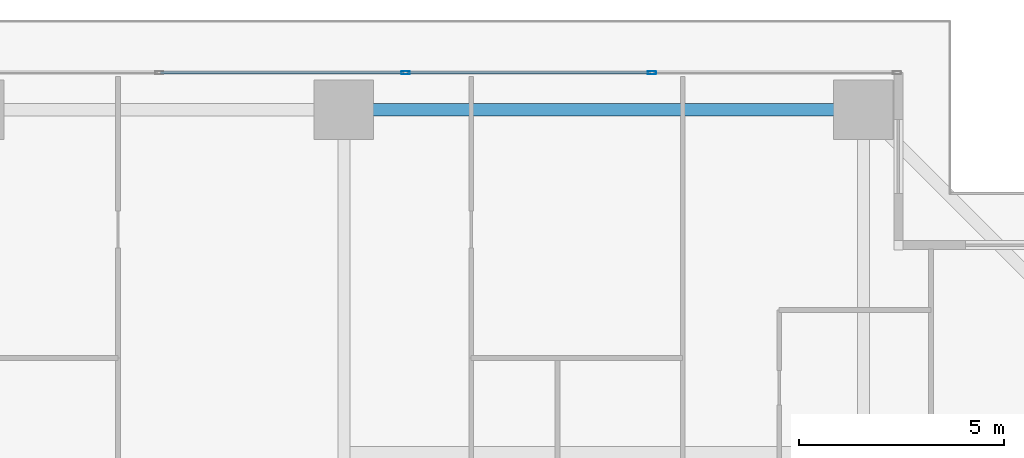
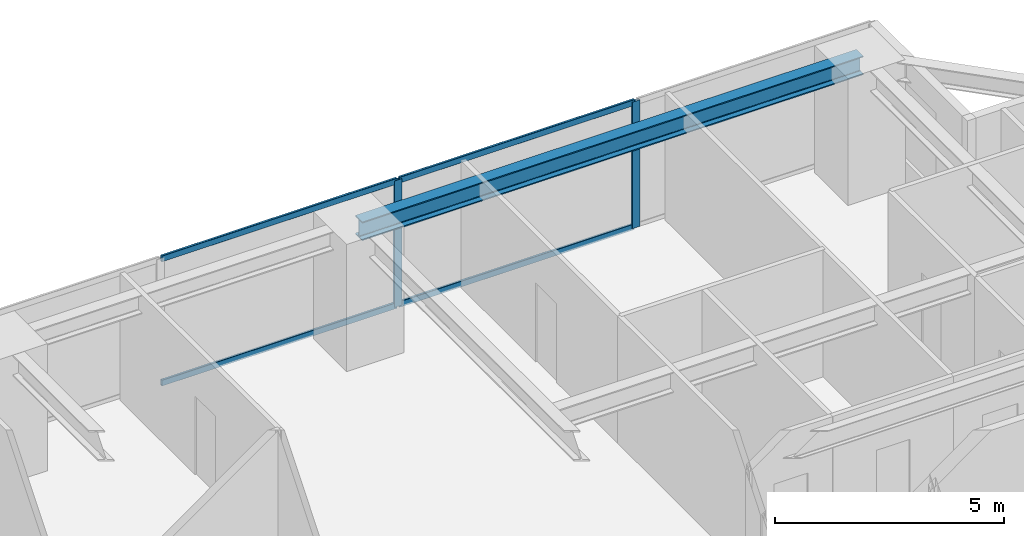
# One storey, part 24 of 40: 6 members, 1 beam, 1 element without a shape of its own.
"""IFC4 building model written with IfcOpenShell, lengths in metres."""

from ifc_helpers import new_model, si_unit, direction, frame, origin, origin_2d, place, context, subcontext, project, spatial, hollow_rectangle, i_section, extrude, source, transform, mapped, material, layer, layer_set, material_profile, profile_set, type_object, element, aggregate, save


model = new_model("IFC4")

# Units and contexts
model_context = context("Model", 3, precision=1e-05, world=origin(), true_north=direction((0.0, 1.0)))
body_context = subcontext(model_context, "Body", "Model", "MODEL_VIEW")
ifc_project = project(units=[si_unit("LENGTHUNIT", "METRE"), si_unit("AREAUNIT", "SQUARE_METRE"), si_unit("VOLUMEUNIT", "CUBIC_METRE"), si_unit("PLANEANGLEUNIT", "RADIAN"), si_unit("MASSUNIT", "GRAM", prefix="KILO")], contexts=[model_context])

# Site, building, storey
site_placement = place(None, origin())
site = spatial("IfcSite", under=ifc_project, at=site_placement, CompositionType="ELEMENT")
building_placement = place(site_placement, origin())
building = spatial("IfcBuilding", under=site, at=building_placement, Name="Serunith Strait Residences", CompositionType="ELEMENT")
storey_placement = place(building_placement, frame((0.0, 0.0, 105.449951171875)))
storey = spatial("IfcBuildingStorey", under=building, at=storey_placement, Name="L26", CompositionType="ELEMENT", Elevation=105.449951171875)

# Beam
ifc_material_1 = material(Name="Steel S355J2", Category="steel")
ifc_material_profile_1 = material_profile(ifc_material_1, i_section(OverallWidth=0.300048828125, OverallDepth=0.5, WebThickness=0.014404296875, FlangeThickness=0.028076171875, FilletRadius=0.027099609375, at=origin_2d()), Name="HEB 500")
ifc_profile_set_1 = profile_set([ifc_material_profile_1], Name="Steel S355J2")
beam_type = type_object("IfcBeamType", Name="BM-HEB500", PredefinedType="BEAM", material=ifc_profile_set_1)
shared_shape_1 = source(origin(), body_context, "Body", "SweptSolid", [
    extrude(i_section(OverallWidth=0.300048828125, OverallDepth=0.5, WebThickness=0.014404296875, FlangeThickness=0.028076171875, FilletRadius=0.027099609375, at=origin_2d()), origin(), (0.0, 0.0, 1.0), 12.650146484375),
])
beam_placement = place(storey_placement, frame((49.550048828125, 49.300048828125, 3.136962890625), z_axis=(-1.0, 0.0, 0.0), x_axis=(0.0, -1.0, 0.0)))
element("IfcBeam", 1, at=beam_placement, inside=storey, type_object=beam_type, Name="L26 Perimeter Ring Beam 09", PredefinedType="BEAM", context=body_context, shape_type="MappedRepresentation", body=[
    mapped(shared_shape_1, transform((0.0, 0.0, 0.0), scale=1.0)),
])

# Curtain wall, members
ifc_material_2 = material(Name="Pale-Champagne Anodised Aluminium", Category="aluminium")
ifc_layer = layer(ifc_material_2, 0.199951171875, Name="Pale-Champagne Anodised Aluminium")
ifc_layer_set = layer_set([ifc_layer], Name="Pale-Champagne Anodised Aluminium")
curtain_wall_type = type_object("IfcCurtainWallType", Name="CW-SYS1", PredefinedType="NOTDEFINED", material=ifc_layer_set)
curtain_wall_placement = place(storey_placement, origin())
curtain_wall = element("IfcCurtainWall", 2, at=curtain_wall_placement, inside=storey, type_object=curtain_wall_type, Name="L26 N Unitised Fritted Curtain Wall", PredefinedType="NOTDEFINED")
ifc_material_profile_2 = material_profile(ifc_material_2, hollow_rectangle(XDim=0.06005859375, YDim=0.159912109375, WallThickness=0.00341796875, InnerFilletRadius=0.00537109375, OuterFilletRadius=0.0087890625, at=origin_2d()), Name="ALU 160x60x3.5")
ifc_profile_set_2 = profile_set([ifc_material_profile_2], Name="Pale-Champagne Anodised Aluminium")
member_type_1 = type_object("IfcMemberType", Name="CW-SYS1-TRAN", PredefinedType="USERDEFINED", material=ifc_profile_set_2)
shared_shape_2 = source(origin(), body_context, "Body", "SweptSolid", [
    extrude(hollow_rectangle(XDim=0.06005859375, YDim=0.159912109375, WallThickness=0.00341796875, InnerFilletRadius=0.00537109375, OuterFilletRadius=0.0087890625, at=origin_2d()), origin(), (0.0, 0.0, 1.0), 5.929931640625),
])
member_1_placement = place(storey_placement, frame((44.364990234375, 50.199951171875, 0.030029296875), z_axis=(-1.0, 0.0, 0.0), x_axis=(0.0, -1.0, 0.0)))
member_1 = element("IfcMember", 3, at=member_1_placement, type_object=member_type_1, Name="CW-1 transom 2.1", ObjectType="TRANSOM", PredefinedType="USERDEFINED", context=body_context, shape_type="MappedRepresentation", body=[
    mapped(shared_shape_2, transform((0.0, 0.0, 0.0), scale=1.0)),
])
member_2_placement = place(storey_placement, frame((44.364990234375, 50.199951171875, 3.344970703125), z_axis=(-1.0, 0.0, 0.0), x_axis=(0.0, -1.0, 0.0)))
member_2 = element("IfcMember", 4, at=member_2_placement, type_object=member_type_1, Name="CW-1 transom 2.2", ObjectType="TRANSOM", PredefinedType="USERDEFINED", context=body_context, shape_type="MappedRepresentation", body=[
    mapped(shared_shape_2, transform((0.0, 0.0, 0.0), scale=1.0)),
])
member_3_placement = place(storey_placement, frame((38.364990234375, 50.199951171875, 0.030029296875), z_axis=(-1.0, 0.0, 0.0), x_axis=(0.0, -1.0, 0.0)))
member_3 = element("IfcMember", 5, at=member_3_placement, type_object=member_type_1, Name="CW-1 transom 3.1", ObjectType="TRANSOM", PredefinedType="USERDEFINED", context=body_context, shape_type="MappedRepresentation", body=[
    mapped(shared_shape_2, transform((0.0, 0.0, 0.0), scale=1.0)),
])
member_4_placement = place(storey_placement, frame((38.364990234375, 50.199951171875, 3.344970703125), z_axis=(-1.0, 0.0, 0.0), x_axis=(0.0, -1.0, 0.0)))
member_4 = element("IfcMember", 6, at=member_4_placement, type_object=member_type_1, Name="CW-1 transom 3.2", ObjectType="TRANSOM", PredefinedType="USERDEFINED", context=body_context, shape_type="MappedRepresentation", body=[
    mapped(shared_shape_2, transform((0.0, 0.0, 0.0), scale=1.0)),
])
ifc_material_profile_3 = material_profile(ifc_material_2, hollow_rectangle(XDim=0.070068359375, YDim=0.199951171875, WallThickness=0.00390625, InnerFilletRadius=0.006103515625, OuterFilletRadius=0.010009765625, at=origin_2d()), Name="ALU 200x70x4")
ifc_profile_set_3 = profile_set([ifc_material_profile_3], Name="Pale-Champagne Anodised Aluminium")
member_type_2 = type_object("IfcMemberType", Name="CW-SYS1-MULL", PredefinedType="MULLION", material=ifc_profile_set_3)
shared_shape_3 = source(origin(), body_context, "Body", "SweptSolid", [
    extrude(hollow_rectangle(XDim=0.070068359375, YDim=0.199951171875, WallThickness=0.00390625, InnerFilletRadius=0.006103515625, OuterFilletRadius=0.010009765625, at=origin_2d()), origin(), (0.0, 0.0, 1.0), 3.375),
])
member_5_placement = place(storey_placement, frame((44.39990234375, 50.199951171875, 0.0), z_axis=(0.0, 0.0, 1.0), x_axis=(0.0, -1.0, 0.0)))
member_5 = element("IfcMember", 7, at=member_5_placement, type_object=member_type_2, Name="CW-1 mullion 2", PredefinedType="MULLION", context=body_context, shape_type="MappedRepresentation", body=[
    mapped(shared_shape_3, transform((0.0, 0.0, 0.0), scale=1.0)),
])
member_6_placement = place(storey_placement, frame((38.39990234375, 50.199951171875, 0.0), z_axis=(0.0, 0.0, 1.0), x_axis=(0.0, -1.0, 0.0)))
member_6 = element("IfcMember", 8, at=member_6_placement, type_object=member_type_2, Name="CW-1 mullion 3", PredefinedType="MULLION", context=body_context, shape_type="MappedRepresentation", body=[
    mapped(shared_shape_3, transform((0.0, 0.0, 0.0), scale=1.0)),
])
aggregate(curtain_wall, [member_5, member_6, member_1, member_2, member_3, member_4])

save(model, "model.ifc")
